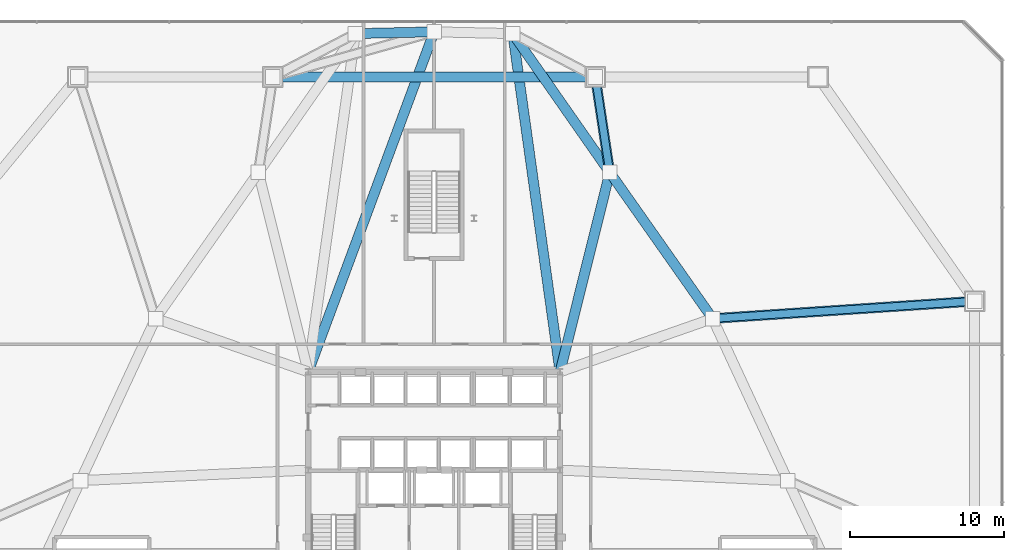
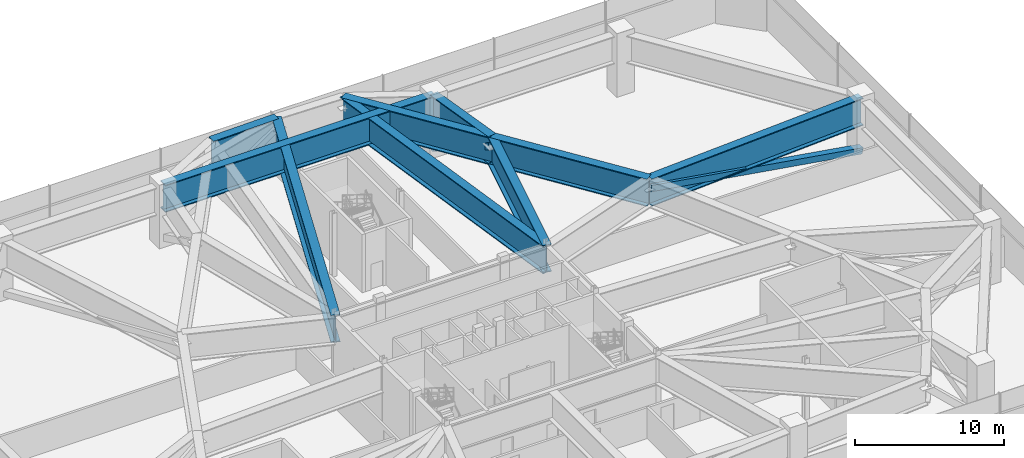
# One storey, part 13 of 29: 9 beams, 2 members.
"""IFC4 building model written with IfcOpenShell, lengths in metres."""

from ifc_helpers import new_model, si_unit, direction, frame, origin, origin_2d, place, context, subcontext, project, spatial, hollow_rectangle, i_section, extrude, source, transform, mapped, material, material_profile, profile_set, type_object, type_shapes, element, save


model = new_model("IFC4")

# Units and contexts
model_context = context("Model", 3, precision=1e-05, world=origin(), true_north=direction((0.0, 1.0)))
body_context = subcontext(model_context, "Body", "Model", "MODEL_VIEW")
ifc_project = project(units=[si_unit("LENGTHUNIT", "METRE"), si_unit("AREAUNIT", "SQUARE_METRE"), si_unit("VOLUMEUNIT", "CUBIC_METRE"), si_unit("PLANEANGLEUNIT", "RADIAN"), si_unit("MASSUNIT", "GRAM", prefix="KILO")], contexts=[model_context])

# Site, building, storey
site_placement = place(None, origin())
site = spatial("IfcSite", under=ifc_project, at=site_placement, CompositionType="ELEMENT")
building_placement = place(site_placement, origin())
building = spatial("IfcBuilding", under=site, at=building_placement, Name="Varakhsha Concourse Tower", CompositionType="ELEMENT")
storey_placement = place(building_placement, frame((0.0, 0.0, 22.0)))
storey = spatial("IfcBuildingStorey", under=building, at=storey_placement, Name="L05", CompositionType="ELEMENT", Elevation=22.0)

# Beams
ifc_material_1 = material(Name="Structural Steel ASTM A992 Grade 50", Category="steel")
ifc_material_profile_1 = material_profile(ifc_material_1, i_section(OverallWidth=0.64990234375, OverallDepth=2.25, WebThickness=0.0400390625, FlangeThickness=0.074951171875, at=origin_2d()), Name="PG 2250x650x75x40")
ifc_profile_set_1 = profile_set([ifc_material_profile_1], Name="Structural Steel ASTM A992 Grade 50")
beam_type = type_object("IfcBeamType", Name="BM-XFER-PG1650", PredefinedType="USERDEFINED", material=ifc_profile_set_1)
beam_1_placement = place(storey_placement, frame((50.5, 50.39990234375, 3.655029296875), z_axis=(-1.0, 0.0, 0.0), x_axis=(0.0, -1.0, 0.0)))
element("IfcBeam", 1, at=beam_1_placement, inside=storey, type_object=beam_type, Name="L05 Stilt Perimeter Transfer Girder 08", ObjectType="GIRDER", PredefinedType="USERDEFINED", context=body_context, shape_type="SweptSolid", body=[
    extrude(i_section(OverallWidth=0.64990234375, OverallDepth=2.25, WebThickness=0.0400390625, FlangeThickness=0.074951171875, at=origin_2d()), origin(), (0.0, 0.0, 1.0), 21.0),
])
beam_2_placement = place(storey_placement, frame((48.199951171875, 31.199951171875, 3.655029296875), z_axis=(-0.138323508638, 0.990387099551, 0.0), x_axis=(-0.990387099551, -0.138323508638, 0.0)))
element("IfcBeam", 2, at=beam_2_placement, inside=storey, type_object=beam_type, Name="L05 Core Radial Transfer Girder 01", ObjectType="GIRDER", PredefinedType="USERDEFINED", context=body_context, shape_type="SweptSolid", body=[
    extrude(i_section(OverallWidth=0.64990234375, OverallDepth=2.25, WebThickness=0.0400390625, FlangeThickness=0.074951171875, at=origin_2d()), origin(), (0.0, 0.0, 1.0), 22.2373046875),
])
beam_3_placement = place(storey_placement, frame((40.0, 53.340087890625, 3.655029296875), z_axis=(-0.999740752381, -0.022769014658, 0.0), x_axis=(0.022769014658, -0.999740752381, 0.0)))
element("IfcBeam", 3, at=beam_3_placement, inside=storey, type_object=beam_type, Name="L05 Tower Base Transfer Ring Girder 02", ObjectType="GIRDER", PredefinedType="USERDEFINED", context=body_context, shape_type="SweptSolid", body=[
    extrude(i_section(OverallWidth=0.64990234375, OverallDepth=2.25, WebThickness=0.0400390625, FlangeThickness=0.074951171875, at=origin_2d()), origin(), (0.0, 0.0, 1.0), 5.125244140625),
])
beam_4_placement = place(storey_placement, frame((31.800048828125, 31.199951171875, 3.655029296875), z_axis=(0.347310651157, 0.937750132814, 0.0), x_axis=(-0.937750132814, 0.347310651157, 0.0)))
element("IfcBeam", 4, at=beam_4_placement, inside=storey, type_object=beam_type, Name="L05 Core Radial Transfer Girder 02", ObjectType="GIRDER", PredefinedType="USERDEFINED", context=body_context, shape_type="SweptSolid", body=[
    extrude(i_section(OverallWidth=0.64990234375, OverallDepth=2.25, WebThickness=0.0400390625, FlangeThickness=0.074951171875, at=origin_2d()), origin(), (0.0, 0.0, 1.0), 23.60986328125),
])
beam_5_placement = place(storey_placement, frame((58.134521484375, 34.669921875, 3.655029296875), z_axis=(-0.575386304622, 0.817881776575, 0.0), x_axis=(-0.817881776575, -0.575386304622, 0.0)))
element("IfcBeam", 5, at=beam_5_placement, inside=storey, type_object=beam_type, Name="L05 Tower Base Transfer Ring Girder 17", ObjectType="GIRDER", PredefinedType="USERDEFINED", context=body_context, shape_type="SweptSolid", body=[
    extrude(i_section(OverallWidth=0.64990234375, OverallDepth=2.25, WebThickness=0.0400390625, FlangeThickness=0.074951171875, at=origin_2d()), origin(), (0.0, 0.0, 1.0), 11.63232421875),
])
beam_6_placement = place(storey_placement, frame((75.199951171875, 35.800048828125, 3.655029296875), z_axis=(-0.997814431484, -0.066078440677, 0.0), x_axis=(0.066078440677, -0.997814431484, 0.0)))
element("IfcBeam", 6, at=beam_6_placement, inside=storey, type_object=beam_type, Name="L05 Podium Transfer Girder 17", ObjectType="GIRDER", PredefinedType="USERDEFINED", context=body_context, shape_type="SweptSolid", body=[
    extrude(i_section(OverallWidth=0.64990234375, OverallDepth=2.25, WebThickness=0.0400390625, FlangeThickness=0.074951171875, at=origin_2d()), origin(), (0.0, 0.0, 1.0), 17.102783203125),
])
beam_7_placement = place(storey_placement, frame((51.44140625, 44.183837890625, 3.655029296875), z_axis=(-0.572835189136, 0.819670571686, 0.0), x_axis=(-0.819670571686, -0.572835189136, 0.0)))
element("IfcBeam", 7, at=beam_7_placement, inside=storey, type_object=beam_type, Name="L05 Tower Base Transfer Ring Girder 18", ObjectType="GIRDER", PredefinedType="USERDEFINED", context=body_context, shape_type="SweptSolid", body=[
    extrude(i_section(OverallWidth=0.64990234375, OverallDepth=2.25, WebThickness=0.0400390625, FlangeThickness=0.074951171875, at=origin_2d()), origin(), (0.0, 0.0, 1.0), 11.0283203125),
])
beam_8_placement = place(storey_placement, frame((50.5, 50.39990234375, 3.655029296875), z_axis=(0.149739809299, -0.988725436869, 0.0), x_axis=(0.988725436869, 0.149739809299, 0.0)))
element("IfcBeam", 8, at=beam_8_placement, inside=storey, type_object=beam_type, Name="L05 Podium Transfer Girder 18", ObjectType="GIRDER", PredefinedType="USERDEFINED", context=body_context, shape_type="SweptSolid", body=[
    extrude(i_section(OverallWidth=0.64990234375, OverallDepth=2.25, WebThickness=0.0400390625, FlangeThickness=0.074951171875, at=origin_2d()), origin(), (0.0, 0.0, 1.0), 6.286865234375),
])
beam_9_placement = place(storey_placement, frame((48.199951171875, 31.199951171875, 3.655029296875), z_axis=(0.242217961801, 0.9702218607, 0.0), x_axis=(-0.9702218607, 0.242217961801, 0.0)))
element("IfcBeam", 9, at=beam_9_placement, inside=storey, type_object=beam_type, Name="L05 Core Radial Transfer Girder 18", ObjectType="GIRDER", PredefinedType="USERDEFINED", context=body_context, shape_type="SweptSolid", body=[
    extrude(i_section(OverallWidth=0.64990234375, OverallDepth=2.25, WebThickness=0.0400390625, FlangeThickness=0.074951171875, at=origin_2d()), origin(), (0.0, 0.0, 1.0), 13.38232421875),
])

# Members
ifc_material_2 = material(Name="Structural Steel ASTM A500 Grade C", Category="steel")
ifc_material_profile_2 = material_profile(ifc_material_2, hollow_rectangle(XDim=0.5, YDim=0.5, WallThickness=0.02001953125, at=origin_2d()), Name="HSS 500x500x20")
ifc_profile_set_2 = profile_set([ifc_material_profile_2], Name="Structural Steel ASTM A500 Grade C")
member_type = type_object("IfcMemberType", Name="MB-XFER-HSS500", PredefinedType="BRACE", material=ifc_profile_set_2)
shared_shape_1 = source(origin(), body_context, "Body", "SweptSolid", [
    extrude(hollow_rectangle(XDim=0.5, YDim=0.5, WallThickness=0.02001953125, at=origin_2d()), origin(), (0.0, 0.0, 1.0), 7.222412109375),
])
member_1_placement = place(storey_placement, frame((50.5, 50.39990234375, 0.39990234375), z_axis=(0.130342955291, -0.860648854944, 0.492233950972), x_axis=(0.988725436869, 0.149739809299, 0.0)))
element("IfcMember", 10, at=member_1_placement, inside=storey, type_object=member_type, Name="L05 Transfer Truss Diagonal 18", PredefinedType="BRACE", context=body_context, shape_type="MappedRepresentation", body=[
    mapped(shared_shape_1, transform((0.0, 0.0, 0.0), scale=1.0)),
])
shared_shape_2 = source(origin(), body_context, "Body", "SweptSolid", [
    extrude(hollow_rectangle(XDim=0.5, YDim=0.5, WallThickness=0.02001953125, at=origin_2d()), origin(), (0.0, 0.0, 1.0), 17.468505859375),
])
type_shapes(member_type, [shared_shape_1, shared_shape_2])
member_2_placement = place(storey_placement, frame((75.199951171875, 35.800048828125, 0.39990234375), z_axis=(-0.976930903755, -0.064695467146, 0.203520283555), x_axis=(0.066078440677, -0.997814431484, 0.0)))
element("IfcMember", 11, at=member_2_placement, inside=storey, type_object=member_type, Name="L05 Transfer Truss Diagonal 17", PredefinedType="BRACE", context=body_context, shape_type="MappedRepresentation", body=[
    mapped(shared_shape_2, transform((0.0, 0.0, 0.0), scale=1.0)),
])

save(model, "model.ifc")
